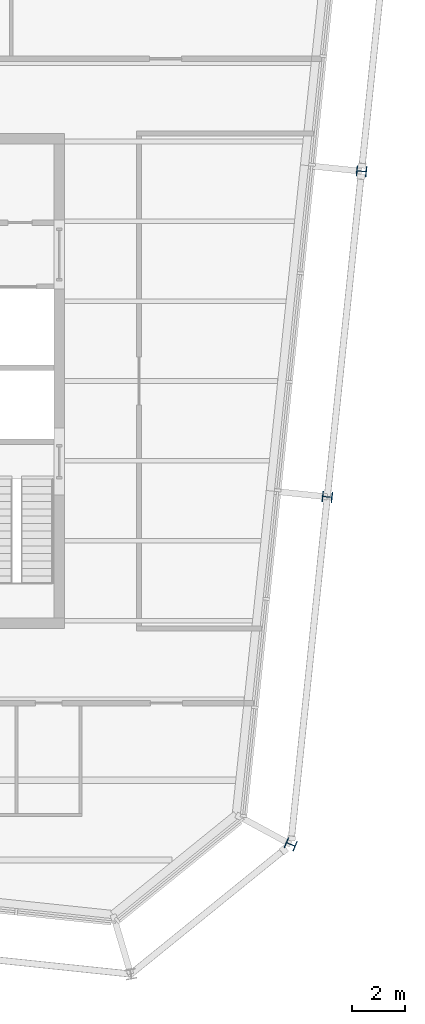
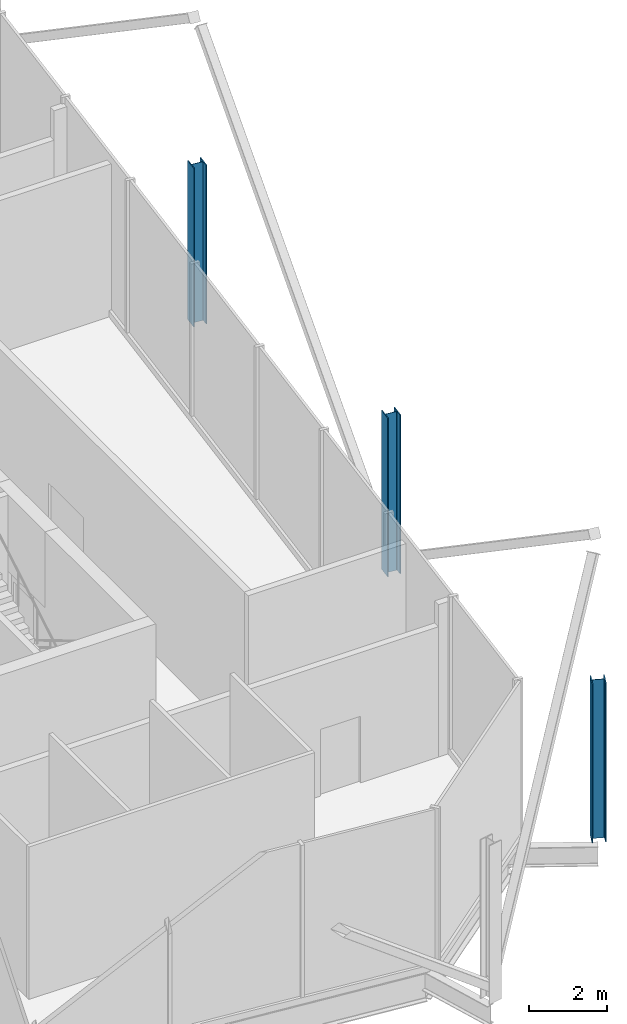
# One storey, part 2 of 15: 3 columns.
"""IFC4 building model written with IfcOpenShell, lengths in metres."""

import ifcopenshell
import ifcopenshell.guid

model = None  # the IFC model being written
_history = None  # IfcOwnerHistory: only IFC2X3 demands one
_inside = {}  # id of a spatial element -> (the spatial element, [elements in it])
_under = {}  # id of a project, library or spatial element -> (it, [spatial elements below it])
_declared = {}  # id of a project -> (the project, [libraries it declares])
_typed = {}  # id of a type object -> (the type object, [elements of that type])
_made_of = {}  # id of a material, layer set ... -> (it, [elements and type objects made of it])


def new_model(schema):
    """Start an empty IFC model of exactly this schema.

    Asked for "IFC4X3", IfcOpenShell would pick the latest addendum, in which some entities
    have other attributes; the version numbers below select the first issue.
    IFC2X3 requires an IfcOwnerHistory on every rooted entity: one is made here for all.
    """
    global model, _history
    if schema == "IFC4X3":
        model = ifcopenshell.file(schema_version=(4, 3, 0, 0))
    else:
        model = ifcopenshell.file(schema=schema)
    _inside.clear()
    _under.clear()
    _declared.clear()
    _typed.clear()
    _made_of.clear()
    _history = None
    if model.schema == "IFC2X3":
        org = make("IfcOrganization", Name="unknown")
        user = make(
            "IfcPersonAndOrganization",
            ThePerson=make("IfcPerson", FamilyName="unknown"),
            TheOrganization=org,
        )
        app = make(
            "IfcApplication",
            ApplicationDeveloper=org,
            Version="unknown",
            ApplicationFullName="unknown",
            ApplicationIdentifier="unknown",
        )
        _history = make(
            "IfcOwnerHistory",
            OwningUser=user,
            OwningApplication=app,
            ChangeAction="ADDED",
            CreationDate=0,
        )
    return model


def make(cls, **values):
    """One entity of the class cls with the attributes given. An attribute that is None is left unset."""
    return model.create_entity(
        cls, **{name: value for name, value in values.items() if value is not None}
    )


def rooted(cls, **values):
    """An entity with a GlobalId (a new one), such as an element, a storey or a relation."""
    return make(cls, GlobalId=ifcopenshell.guid.new(), OwnerHistory=_history, **values)


def si_unit(unit_type, name, prefix=None):
    """IfcSIUnit, for example si_unit("LENGTHUNIT", "METRE", prefix="MILLI")."""
    return make("IfcSIUnit", UnitType=unit_type, Prefix=prefix, Name=name)


def assignment(units):
    """IfcUnitAssignment: the units of a project."""
    return None if units is None else make("IfcUnitAssignment", Units=units)


def point(xyz):
    """IfcCartesianPoint."""
    return None if xyz is None else make("IfcCartesianPoint", Coordinates=xyz)


def direction(xyz):
    """IfcDirection."""
    return None if xyz is None else make("IfcDirection", DirectionRatios=xyz)


def frame(location, z_axis=None, x_axis=None):
    """IfcAxis2Placement3D, a coordinate frame: its origin and axes. An axis left out is left unset."""
    return make(
        "IfcAxis2Placement3D",
        Location=point(location),
        Axis=direction(z_axis),
        RefDirection=direction(x_axis),
    )


def frame_2d(location, x_axis=None):
    """IfcAxis2Placement2D, a coordinate frame in the plane: its origin and x axis."""
    return make(
        "IfcAxis2Placement2D", Location=point(location), RefDirection=direction(x_axis)
    )


def origin():
    """The frame at (0, 0, 0) with its axes left unset."""
    return frame((0.0, 0.0, 0.0))


def origin_2d():
    """The frame at (0, 0) in the plane with its x axis left unset."""
    return frame_2d((0.0, 0.0))


def place(relative_to, where):
    """IfcLocalPlacement: puts the frame where relative to a parent placement (None: the world)."""
    return make(
        "IfcLocalPlacement", PlacementRelTo=relative_to, RelativePlacement=where
    )


def context(
    kind, dimensions, precision=None, world=None, true_north=None, identifier=None
):
    """IfcGeometricRepresentationContext, for example the 3D "Model" context."""
    return make(
        "IfcGeometricRepresentationContext",
        ContextIdentifier=identifier,
        ContextType=kind,
        CoordinateSpaceDimension=dimensions,
        Precision=precision,
        WorldCoordinateSystem=world,
        TrueNorth=true_north,
    )


def subcontext(parent, identifier, kind, view, scale=None):
    """IfcGeometricRepresentationSubContext, for example "Body" below "Model"."""
    return make(
        "IfcGeometricRepresentationSubContext",
        ContextIdentifier=identifier,
        ContextType=kind,
        ParentContext=parent,
        TargetScale=scale,
        TargetView=view,
    )


def project(units=None, contexts=None):
    """IfcProject with its units and contexts."""
    return rooted(
        "IfcProject",
        Name="project",
        RepresentationContexts=contexts,
        UnitsInContext=assignment(units),
    )


def spatial(cls, under=None, at=None, **own):
    """A site, building, storey or space (cls), placed at a placement, below another one or the project."""
    s = rooted(cls, ObjectPlacement=at, **own)
    if under is not None:
        _under.setdefault(under.id(), (under, []))[1].append(s)
    return s


def profile(cls, at=None, kind="AREA", **sizes):
    """A parametric profile (cls). Its sizes go by their IFC names, for example OverallWidth=200.0."""
    return make(cls, ProfileType=kind, Position=at, **sizes)


def i_section(**sizes):
    """IfcIShapeProfileDef."""
    return profile("IfcIShapeProfileDef", **sizes)


def extrude(swept, where, along, depth):
    """IfcExtrudedAreaSolid: the profile swept, set in the frame where, extruded along a direction by depth."""
    return make(
        "IfcExtrudedAreaSolid",
        SweptArea=swept,
        Position=where,
        ExtrudedDirection=direction(along),
        Depth=depth,
    )


def shape(context_of_items, identifier, shape_type, items):
    """IfcShapeRepresentation: the items that make up one representation, for example the "Body"."""
    return make(
        "IfcShapeRepresentation",
        ContextOfItems=context_of_items,
        RepresentationIdentifier=identifier,
        RepresentationType=shape_type,
        Items=items,
    )


def material(Name=None, Category=None):
    """IfcMaterial."""
    return make("IfcMaterial", Name=Name, Category=Category)


def material_profile(
    of_material, cross_section, Name=None, Category=None, Priority=None
):
    """IfcMaterialProfile: a cross section and its material."""
    return make(
        "IfcMaterialProfile",
        Name=Name,
        Material=of_material,
        Profile=cross_section,
        Priority=Priority,
        Category=Category,
    )


def profile_set(profiles, Name=None, composite=None):
    """IfcMaterialProfileSet."""
    return make(
        "IfcMaterialProfileSet",
        Name=Name,
        MaterialProfiles=profiles,
        CompositeProfile=composite,
    )


def made_of(thing, what):
    """Note that an element or type object is made of a material, layer set ...; save() writes the relation."""
    if what is not None:
        _made_of.setdefault(what.id(), (what, []))[1].append(thing)
    return thing


def type_object(cls, material=None, **own):
    """A type object (cls), such as IfcWallType, which elements share."""
    return made_of(rooted(cls, **own), material)


def element(
    cls,
    number,
    at=None,
    inside=None,
    cuts=None,
    type_object=None,
    material=None,
    context=None,
    identifier="Body",
    shape_type=None,
    held_by="IfcProductDefinitionShape",
    body=None,
    shapes=None,
    **own,
):
    """One element of the class cls, such as IfcWall. Its Tag is "e" and its number.

    at: its placement. inside: the storey or other place that contains it. cuts: it is an
    opening in that element (IfcRelVoidsElement). A single representation is given by context,
    identifier, shape_type and body (its items); several are given by shapes. held_by: the class
    of the entity that holds the representations. save() writes the other relations.
    """
    e = rooted(cls, Tag="e%d" % number, ObjectPlacement=at, **own)
    if body is not None:
        shapes = [shape(context, identifier, shape_type, body)]
    if shapes is not None:
        e.Representation = make(held_by, Representations=shapes)
    if inside is not None:
        _inside.setdefault(inside.id(), (inside, []))[1].append(e)
    if cuts is not None:
        rooted(
            "IfcRelVoidsElement", RelatingBuildingElement=cuts, RelatedOpeningElement=e
        )
    if type_object is not None:
        _typed.setdefault(type_object.id(), (type_object, []))[1].append(e)
    return made_of(e, material)


def aggregate(whole, parts):
    """IfcRelAggregates: a whole, such as a stair, and the parts it consists of."""
    return rooted("IfcRelAggregates", RelatingObject=whole, RelatedObjects=parts)


def save(model, path):
    """Write the relations noted so far, then the file.

    IfcRelAggregates (storeys below a building ...), IfcRelContainedInSpatialStructure (elements
    in a storey), IfcRelDefinesByType, IfcRelAssociatesMaterial and IfcRelDeclares: one each for
    every whole, place, type object, material and project.
    """
    for whole, parts in _under.values():
        aggregate(whole, parts)
    for where, things in _inside.values():
        rooted(
            "IfcRelContainedInSpatialStructure",
            RelatedElements=things,
            RelatingStructure=where,
        )
    for kind, things in _typed.values():
        rooted("IfcRelDefinesByType", RelatedObjects=things, RelatingType=kind)
    for what, things in _made_of.values():
        rooted("IfcRelAssociatesMaterial", RelatedObjects=things, RelatingMaterial=what)
    for by, libraries in _declared.values():
        rooted("IfcRelDeclares", RelatingContext=by, RelatedDefinitions=libraries)
    model.write(path)


model = new_model("IFC4")

# Units and contexts
model_context = context("Model", 3, precision=1e-05, world=origin(), true_north=direction((0.0, 1.0)))
body_context = subcontext(model_context, "Body", "Model", "MODEL_VIEW")
ifc_project = project(units=[si_unit("LENGTHUNIT", "METRE"), si_unit("AREAUNIT", "SQUARE_METRE"), si_unit("VOLUMEUNIT", "CUBIC_METRE"), si_unit("PLANEANGLEUNIT", "RADIAN"), si_unit("MASSUNIT", "GRAM", prefix="KILO")], contexts=[model_context])

# Site, building, storey
site_placement = place(None, origin())
site = spatial("IfcSite", under=ifc_project, at=site_placement, CompositionType="ELEMENT")
building_placement = place(site_placement, origin())
building = spatial("IfcBuilding", under=site, at=building_placement, Name="Millrace Tower", CompositionType="ELEMENT")
storey_placement = place(building_placement, frame((0.0, 0.0, 352.10009765625)))
storey = spatial("IfcBuildingStorey", under=building, at=storey_placement, Name="L81", CompositionType="ELEMENT", Elevation=352.10009765625)

# Columns
ifc_material_1 = material(Name="Steel ASTM A913 Grade 65", Category="steel")
ifc_material_profile_1 = material_profile(ifc_material_1, i_section(OverallWidth=0.393798828125, OverallDepth=0.3759765625, WebThickness=0.017333984375, FlangeThickness=0.027587890625, FilletRadius=0.01513671875, at=origin_2d()))
ifc_profile_set_1 = profile_set([ifc_material_profile_1], Name="Steel ASTM A913 Grade 65")
column_type_1 = type_object("IfcColumnType", Name="Exoskeleton column W14x145", PredefinedType="COLUMN", material=ifc_profile_set_1)
for number, where, z_axis, x_axis, name in (
    (1, (24.171630859375, -4.353271484375, 0.0), (0.0, 0.0, 1.0), (0.104528445407, 0.994521897246, 0.0), "COL-E-L81-X07"),
    (2, (25.457275390625, 7.879150390625, 0.0), (0.0, 0.0, 1.0), (0.104528445407, 0.994521897246, 0.0), "COL-E-L81-X08"),
):
    element("IfcColumn", number, at=place(storey_placement, frame(where, z_axis=z_axis, x_axis=x_axis)), inside=storey, type_object=column_type_1, Name=name, PredefinedType="COLUMN", context=body_context, shape_type="SweptSolid", body=[
        extrude(i_section(OverallWidth=0.393798828125, OverallDepth=0.3759765625, WebThickness=0.017333984375, FlangeThickness=0.027587890625, FilletRadius=0.01513671875, at=origin_2d()), origin(), (0.0, 0.0, 1.0), 5.0),
    ])
ifc_material_2 = material(Name="Steel ASTM A913 Grade 65", Category="steel")
ifc_material_profile_2 = material_profile(ifc_material_2, i_section(OverallWidth=0.396240234375, OverallDepth=0.381103515625, WebThickness=0.018798828125, FlangeThickness=0.0302734375, FilletRadius=0.01513671875, at=origin_2d()))
ifc_profile_set_2 = profile_set([ifc_material_profile_2], Name="Steel ASTM A913 Grade 65")
column_type_2 = type_object("IfcColumnType", Name="Exoskeleton column W14x159", PredefinedType="COLUMN", material=ifc_profile_set_2)
column_placement = place(storey_placement, frame((22.79931640625, -17.409912109375, 0.0), z_axis=(0.0, 0.0, 1.0), x_axis=(0.380946683176, 0.92459700658, 0.0)))
element("IfcColumn", 3, at=column_placement, inside=storey, type_object=column_type_2, Name="COL-E-L81-X06", PredefinedType="COLUMN", context=body_context, shape_type="SweptSolid", body=[
    extrude(i_section(OverallWidth=0.396240234375, OverallDepth=0.381103515625, WebThickness=0.018798828125, FlangeThickness=0.0302734375, FilletRadius=0.01513671875, at=origin_2d()), origin(), (0.0, 0.0, 1.0), 5.0),
])

save(model, "model.ifc")
